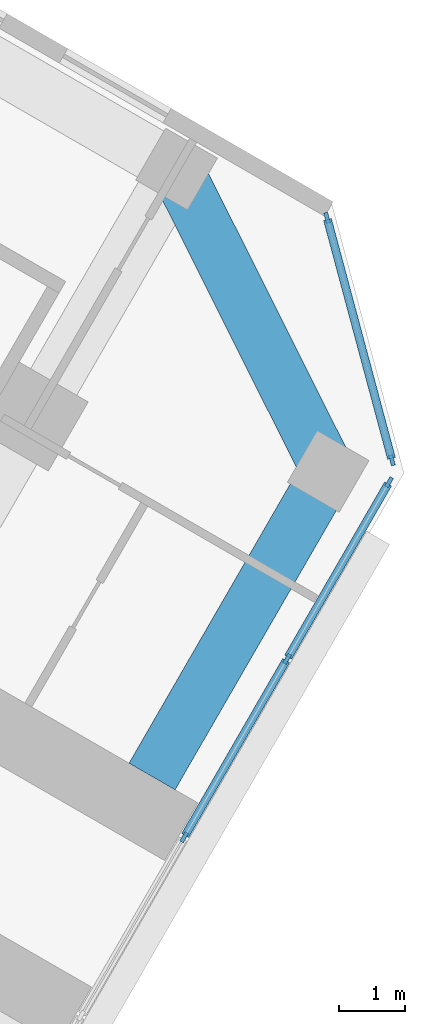
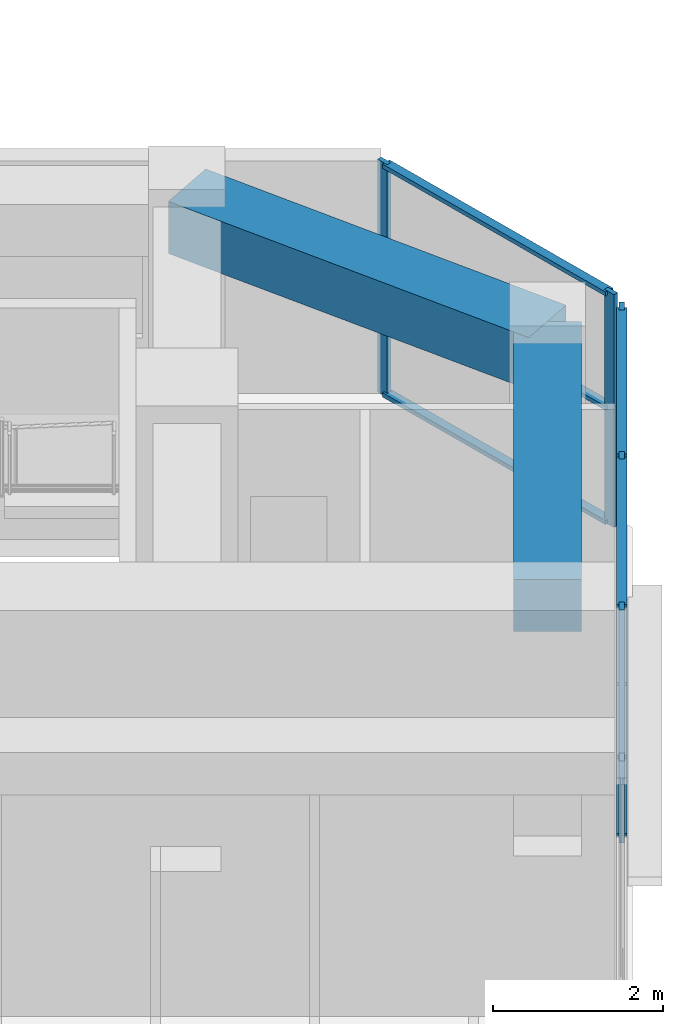
# One storey, part 8 of 21: 12 members, 2 beams, 2 elements without a shape of their own.
"""IFC4 building model written with IfcOpenShell, lengths in metres."""

from ifc_helpers import new_model, si_unit, direction, frame, origin, origin_2d, place, context, subcontext, project, spatial, rectangle, extrude, material, material_profile, profile_set, type_object, element, aggregate, save


model = new_model("IFC4")

# Units and contexts
model_context = context("Model", 3, precision=1e-05, world=origin(), true_north=direction((0.0, 1.0)))
body_context = subcontext(model_context, "Body", "Model", "MODEL_VIEW")
ifc_project = project(units=[si_unit("LENGTHUNIT", "METRE"), si_unit("AREAUNIT", "SQUARE_METRE"), si_unit("VOLUMEUNIT", "CUBIC_METRE"), si_unit("PLANEANGLEUNIT", "RADIAN"), si_unit("MASSUNIT", "GRAM", prefix="KILO")], contexts=[model_context])

# Site, building, storey
site_placement = place(None, origin())
site = spatial("IfcSite", under=ifc_project, at=site_placement, CompositionType="ELEMENT")
building_placement = place(site_placement, origin())
building = spatial("IfcBuilding", under=site, at=building_placement, Name="Kosmar Iwan School Tower", CompositionType="ELEMENT")
storey_placement = place(building_placement, frame((0.0, 0.0, 88.0)))
storey = spatial("IfcBuildingStorey", under=building, at=storey_placement, Name="L21", CompositionType="ELEMENT", Elevation=88.0)

# Curtain wall, members
ifc_material_1 = material(Name="Dark glass in black aluminium frame", Category="aluminium")
curtain_wall_type_1 = type_object("IfcCurtainWallType", Name="Tower curtain wall dark glass", PredefinedType="USERDEFINED", material=ifc_material_1)
curtain_wall_1_placement = place(storey_placement, origin())
curtain_wall_1 = element("IfcCurtainWall", 1, at=curtain_wall_1_placement, inside=storey, type_object=curtain_wall_type_1, Name="Curtain wall L21-F03", ObjectType="UNITISED CURTAIN WALL", PredefinedType="USERDEFINED")
ifc_material_2 = material(Name="Black anodised aluminium", Category="aluminium")
ifc_material_profile_1 = material_profile(ifc_material_2, rectangle(XDim=0.06005859375, YDim=0.159912109375, at=origin_2d()), Name="MULLION 60x160")
ifc_profile_set_1 = profile_set([ifc_material_profile_1], Name="Black anodised aluminium")
member_type_1 = type_object("IfcMemberType", Name="Mullion 60x160", PredefinedType="MULLION", material=ifc_profile_set_1)
member_1_placement = place(storey_placement, frame((30.631103515625, -15.8955078125, 0.0), z_axis=(0.0, 0.0, 1.0), x_axis=(-0.866025405329, 0.499999997325, 0.0)))
member_1 = element("IfcMember", 2, at=member_1_placement, type_object=member_type_1, Name="CW1 mullion 4", PredefinedType="MULLION", context=body_context, shape_type="SweptSolid", body=[
    extrude(rectangle(XDim=0.06005859375, YDim=0.159912109375, at=origin_2d()), origin(), (0.0, 0.0, 1.0), 3.35009765625),
])
member_2_placement = place(storey_placement, frame((32.1806640625, -13.21142578125, 0.0), z_axis=(0.0, 0.0, 1.0), x_axis=(-0.866025405329, 0.499999997325, 0.0)))
member_2 = element("IfcMember", 3, at=member_2_placement, type_object=member_type_1, Name="CW1 mullion 5", PredefinedType="MULLION", context=body_context, shape_type="SweptSolid", body=[
    extrude(rectangle(XDim=0.06005859375, YDim=0.159912109375, at=origin_2d()), origin(), (0.0, 0.0, 1.0), 3.35009765625),
])
member_3_placement = place(storey_placement, frame((33.71533203125, -10.55322265625, 0.0), z_axis=(0.0, 0.0, 1.0), x_axis=(-0.866025405329, 0.499999997325, 0.0)))
member_3 = element("IfcMember", 4, at=member_3_placement, type_object=member_type_1, Name="CW1 mullion 6", PredefinedType="MULLION", context=body_context, shape_type="SweptSolid", body=[
    extrude(rectangle(XDim=0.06005859375, YDim=0.159912109375, at=origin_2d()), origin(), (0.0, 0.0, 1.0), 3.35009765625),
])

ifc_material_3 = material(Name="Dark glass in black aluminium frame", Category="aluminium")
curtain_wall_type_2 = type_object("IfcCurtainWallType", Name="Chamfer curtain wall dark glass", PredefinedType="USERDEFINED", material=ifc_material_3)
curtain_wall_2_placement = place(storey_placement, origin())
curtain_wall_2 = element("IfcCurtainWall", 5, at=curtain_wall_2_placement, inside=storey, type_object=curtain_wall_type_2, Name="Curtain wall L21-F04", ObjectType="FACETED CURTAIN WALL", PredefinedType="USERDEFINED")
member_4_placement = place(storey_placement, frame((33.7587890625, -10.2236328125, 0.0), z_axis=(0.0, 0.0, 1.0), x_axis=(-0.965925875495, -0.258818861462, 0.0)))
member_4 = element("IfcMember", 6, at=member_4_placement, type_object=member_type_1, Name="CW2 mullion 1", PredefinedType="MULLION", context=body_context, shape_type="SweptSolid", body=[
    extrude(rectangle(XDim=0.06005859375, YDim=0.159912109375, at=origin_2d()), origin(), (0.0, 0.0, 1.0), 3.35009765625),
])
member_5_placement = place(storey_placement, frame((32.78076171875, -6.5732421875, 0.0), z_axis=(0.0, 0.0, 1.0), x_axis=(-0.965925875495, -0.258818861462, 0.0)))
member_5 = element("IfcMember", 7, at=member_5_placement, type_object=member_type_1, Name="CW2 mullion 2", PredefinedType="MULLION", context=body_context, shape_type="SweptSolid", body=[
    extrude(rectangle(XDim=0.06005859375, YDim=0.159912109375, at=origin_2d()), origin(), (0.0, 0.0, 1.0), 3.35009765625),
])

# Beams
ifc_material_4 = material(Name="Concrete C50/60", Category="concrete")
ifc_material_profile_2 = material_profile(ifc_material_4, rectangle(XDim=0.800048828125, YDim=0.75, at=origin_2d()), Name="RC 800x750")
ifc_profile_set_2 = profile_set([ifc_material_profile_2], Name="Concrete C50/60")
beam_type = type_object("IfcBeamType", Name="RC tip beam 800x750", PredefinedType="BEAM", material=ifc_profile_set_2)
beam_1_placement = place(storey_placement, frame((30.517822265625, -5.841552734375, 2.97509765625), z_axis=(0.44809604203, -0.893985423325, 0.0), x_axis=(0.893985423325, 0.44809604203, 0.0)))
element("IfcBeam", 8, at=beam_1_placement, inside=storey, type_object=beam_type, Name="Tip beam CL", PredefinedType="BEAM", context=body_context, shape_type="SweptSolid", body=[
    extrude(rectangle(XDim=0.800048828125, YDim=0.75, at=origin_2d()), origin(), (0.0, 0.0, 1.0), 5.08935546875),
])
beam_2_placement = place(storey_placement, frame((32.79833984375, -10.391357421875, 2.97509765625), z_axis=(-0.499973660256, -0.866040610509, 0.0), x_axis=(0.866040610509, -0.499973660256, 0.0)))
element("IfcBeam", 9, at=beam_2_placement, inside=storey, type_object=beam_type, Name="Tip beam CL to corridor wall", PredefinedType="BEAM", context=body_context, shape_type="SweptSolid", body=[
    extrude(rectangle(XDim=0.800048828125, YDim=0.75, at=origin_2d()), origin(), (0.0, 0.0, 1.0), 5.300048828125),
])

# Member
ifc_material_5 = material(Name="Black anodised aluminium", Category="aluminium")
ifc_material_profile_3 = material_profile(ifc_material_5, rectangle(XDim=0.1201171875, YDim=0.06005859375, at=origin_2d()), Name="TRANSOM 60x120")
ifc_profile_set_3 = profile_set([ifc_material_profile_3], Name="Black anodised aluminium")
member_type_2 = type_object("IfcMemberType", Name="Transom 60x120", PredefinedType="USERDEFINED", material=ifc_profile_set_3)
member_6_placement = place(storey_placement, frame((30.64599609375, -15.869384765625, 0.030029296875), z_axis=(0.500035348339, 0.866004994449, 0.0), x_axis=(-0.866004994449, 0.500035348339, 0.0)))
member_6 = element("IfcMember", 10, at=member_6_placement, type_object=member_type_2, Name="CW1 transom 4.1", ObjectType="TRANSOM", PredefinedType="USERDEFINED", context=body_context, shape_type="SweptSolid", body=[
    extrude(rectangle(XDim=0.1201171875, YDim=0.06005859375, at=origin_2d()), origin(), (0.0, 0.0, 1.0), 3.039306640625),
])

member_7_placement = place(storey_placement, frame((30.64599609375, -15.869384765625, 3.320068359375), z_axis=(0.500035348339, 0.866004994449, 0.0), x_axis=(-0.866004994449, 0.500035348339, 0.0)))
member_7 = element("IfcMember", 11, at=member_7_placement, type_object=member_type_2, Name="CW1 transom 4.2", ObjectType="TRANSOM", PredefinedType="USERDEFINED", context=body_context, shape_type="SweptSolid", body=[
    extrude(rectangle(XDim=0.1201171875, YDim=0.06005859375, at=origin_2d()), origin(), (0.0, 0.0, 1.0), 3.039306640625),
])

member_8_placement = place(storey_placement, frame((32.19580078125, -13.185302734375, 0.030029296875), z_axis=(0.500022102064, 0.866012642776, 0.0), x_axis=(-0.866012642776, 0.500022102064, 0.0)))
member_8 = element("IfcMember", 12, at=member_8_placement, type_object=member_type_2, Name="CW1 transom 5.1", ObjectType="TRANSOM", PredefinedType="USERDEFINED", context=body_context, shape_type="SweptSolid", body=[
    extrude(rectangle(XDim=0.1201171875, YDim=0.06005859375, at=origin_2d()), origin(), (0.0, 0.0, 1.0), 3.009033203125),
])

member_9_placement = place(storey_placement, frame((32.19580078125, -13.185302734375, 3.320068359375), z_axis=(0.500022102064, 0.866012642776, 0.0), x_axis=(-0.866012642776, 0.500022102064, 0.0)))
member_9 = element("IfcMember", 13, at=member_9_placement, type_object=member_type_2, Name="CW1 transom 5.2", ObjectType="TRANSOM", PredefinedType="USERDEFINED", context=body_context, shape_type="SweptSolid", body=[
    extrude(rectangle(XDim=0.1201171875, YDim=0.06005859375, at=origin_2d()), origin(), (0.0, 0.0, 1.0), 3.009033203125),
])

aggregate(curtain_wall_1, [member_1, member_2, member_3, member_6, member_7, member_8, member_9])

member_10_placement = place(storey_placement, frame((33.7509765625, -10.194580078125, 0.030029296875), z_axis=(-0.258843273983, 0.965919333854, 0.0), x_axis=(-0.965919333854, -0.258843273983, 0.0)))
member_10 = element("IfcMember", 14, at=member_10_placement, type_object=member_type_2, Name="CW2 transom 1.1", ObjectType="TRANSOM", PredefinedType="USERDEFINED", context=body_context, shape_type="SweptSolid", body=[
    extrude(rectangle(XDim=0.1201171875, YDim=0.06005859375, at=origin_2d()), origin(), (0.0, 0.0, 1.0), 3.718994140625),
])

member_11_placement = place(storey_placement, frame((33.7509765625, -10.194580078125, 1.675048828125), z_axis=(-0.258843273983, 0.965919333854, 0.0), x_axis=(-0.965919333854, -0.258843273983, 0.0)))
member_11 = element("IfcMember", 15, at=member_11_placement, type_object=member_type_2, Name="CW2 transom 1.2", ObjectType="TRANSOM", PredefinedType="USERDEFINED", context=body_context, shape_type="SweptSolid", body=[
    extrude(rectangle(XDim=0.1201171875, YDim=0.06005859375, at=origin_2d()), origin(), (0.0, 0.0, 1.0), 3.718994140625),
])

member_12_placement = place(storey_placement, frame((33.7509765625, -10.194580078125, 3.320068359375), z_axis=(-0.258843273983, 0.965919333854, 0.0), x_axis=(-0.965919333854, -0.258843273983, 0.0)))
member_12 = element("IfcMember", 16, at=member_12_placement, type_object=member_type_2, Name="CW2 transom 1.3", ObjectType="TRANSOM", PredefinedType="USERDEFINED", context=body_context, shape_type="SweptSolid", body=[
    extrude(rectangle(XDim=0.1201171875, YDim=0.06005859375, at=origin_2d()), origin(), (0.0, 0.0, 1.0), 3.718994140625),
])

aggregate(curtain_wall_2, [member_4, member_5, member_10, member_11, member_12])

save(model, "model.ifc")
